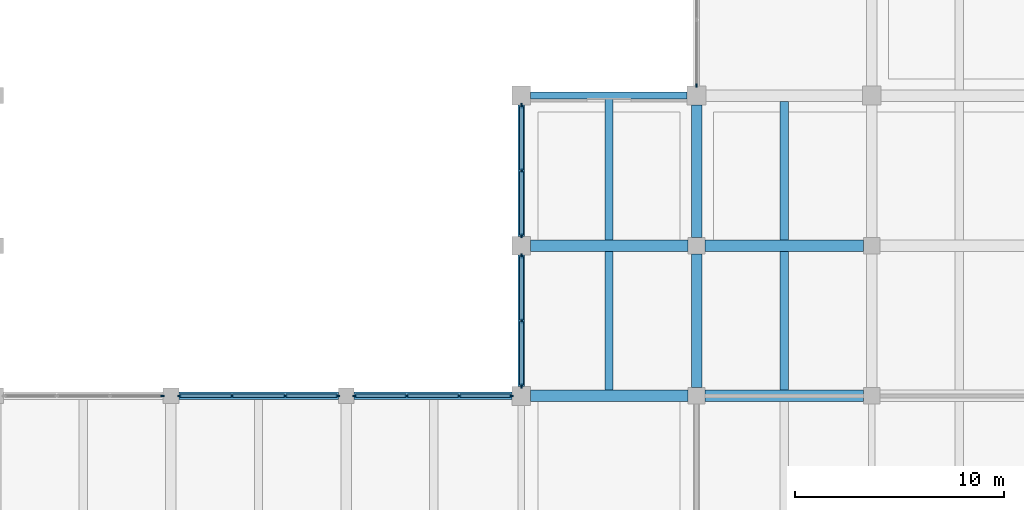
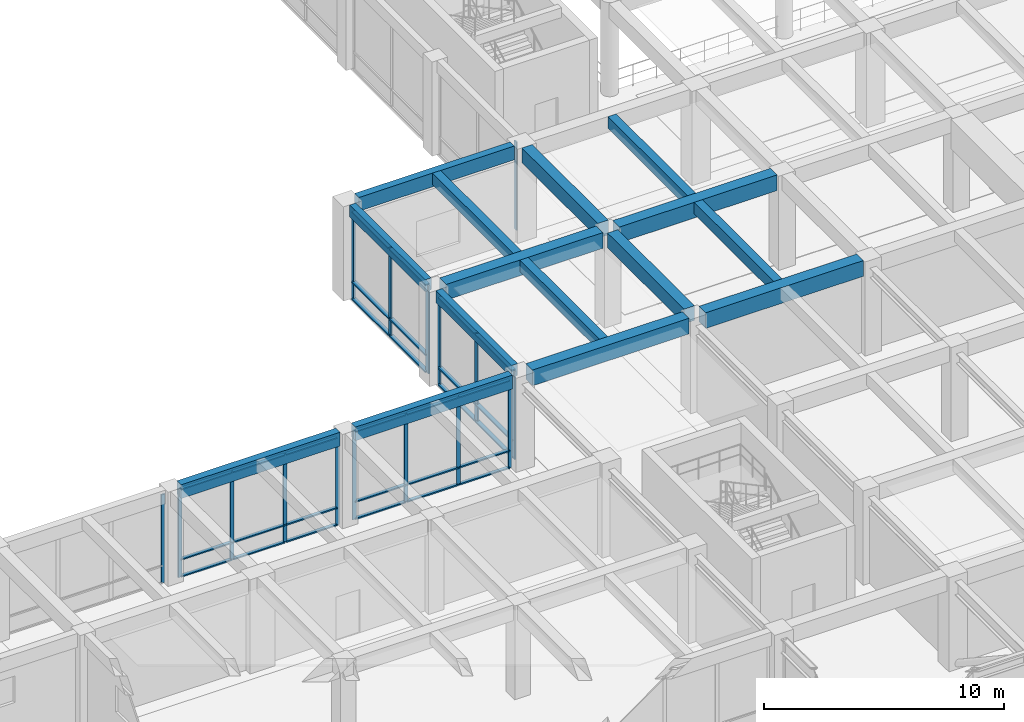
# One storey, part 9 of 52: 46 members, 15 beams, 6 elements without a shape of their own.
"""IFC4 building model written with IfcOpenShell, lengths in metres."""

import ifcopenshell
import ifcopenshell.guid

model = None  # the IFC model being written
_history = None  # IfcOwnerHistory: only IFC2X3 demands one
_inside = {}  # id of a spatial element -> (the spatial element, [elements in it])
_under = {}  # id of a project, library or spatial element -> (it, [spatial elements below it])
_declared = {}  # id of a project -> (the project, [libraries it declares])
_typed = {}  # id of a type object -> (the type object, [elements of that type])
_made_of = {}  # id of a material, layer set ... -> (it, [elements and type objects made of it])


def new_model(schema):
    """Start an empty IFC model of exactly this schema.

    Asked for "IFC4X3", IfcOpenShell would pick the latest addendum, in which some entities
    have other attributes; the version numbers below select the first issue.
    IFC2X3 requires an IfcOwnerHistory on every rooted entity: one is made here for all.
    """
    global model, _history
    if schema == "IFC4X3":
        model = ifcopenshell.file(schema_version=(4, 3, 0, 0))
    else:
        model = ifcopenshell.file(schema=schema)
    _inside.clear()
    _under.clear()
    _declared.clear()
    _typed.clear()
    _made_of.clear()
    _history = None
    if model.schema == "IFC2X3":
        org = make("IfcOrganization", Name="unknown")
        user = make(
            "IfcPersonAndOrganization",
            ThePerson=make("IfcPerson", FamilyName="unknown"),
            TheOrganization=org,
        )
        app = make(
            "IfcApplication",
            ApplicationDeveloper=org,
            Version="unknown",
            ApplicationFullName="unknown",
            ApplicationIdentifier="unknown",
        )
        _history = make(
            "IfcOwnerHistory",
            OwningUser=user,
            OwningApplication=app,
            ChangeAction="ADDED",
            CreationDate=0,
        )
    return model


def make(cls, **values):
    """One entity of the class cls with the attributes given. An attribute that is None is left unset."""
    return model.create_entity(
        cls, **{name: value for name, value in values.items() if value is not None}
    )


def rooted(cls, **values):
    """An entity with a GlobalId (a new one), such as an element, a storey or a relation."""
    return make(cls, GlobalId=ifcopenshell.guid.new(), OwnerHistory=_history, **values)


def si_unit(unit_type, name, prefix=None):
    """IfcSIUnit, for example si_unit("LENGTHUNIT", "METRE", prefix="MILLI")."""
    return make("IfcSIUnit", UnitType=unit_type, Prefix=prefix, Name=name)


def assignment(units):
    """IfcUnitAssignment: the units of a project."""
    return None if units is None else make("IfcUnitAssignment", Units=units)


def point(xyz):
    """IfcCartesianPoint."""
    return None if xyz is None else make("IfcCartesianPoint", Coordinates=xyz)


def direction(xyz):
    """IfcDirection."""
    return None if xyz is None else make("IfcDirection", DirectionRatios=xyz)


def frame(location, z_axis=None, x_axis=None):
    """IfcAxis2Placement3D, a coordinate frame: its origin and axes. An axis left out is left unset."""
    return make(
        "IfcAxis2Placement3D",
        Location=point(location),
        Axis=direction(z_axis),
        RefDirection=direction(x_axis),
    )


def frame_2d(location, x_axis=None):
    """IfcAxis2Placement2D, a coordinate frame in the plane: its origin and x axis."""
    return make(
        "IfcAxis2Placement2D", Location=point(location), RefDirection=direction(x_axis)
    )


def origin():
    """The frame at (0, 0, 0) with its axes left unset."""
    return frame((0.0, 0.0, 0.0))


def origin_2d():
    """The frame at (0, 0) in the plane with its x axis left unset."""
    return frame_2d((0.0, 0.0))


def place(relative_to, where):
    """IfcLocalPlacement: puts the frame where relative to a parent placement (None: the world)."""
    return make(
        "IfcLocalPlacement", PlacementRelTo=relative_to, RelativePlacement=where
    )


def context(
    kind, dimensions, precision=None, world=None, true_north=None, identifier=None
):
    """IfcGeometricRepresentationContext, for example the 3D "Model" context."""
    return make(
        "IfcGeometricRepresentationContext",
        ContextIdentifier=identifier,
        ContextType=kind,
        CoordinateSpaceDimension=dimensions,
        Precision=precision,
        WorldCoordinateSystem=world,
        TrueNorth=true_north,
    )


def subcontext(parent, identifier, kind, view, scale=None):
    """IfcGeometricRepresentationSubContext, for example "Body" below "Model"."""
    return make(
        "IfcGeometricRepresentationSubContext",
        ContextIdentifier=identifier,
        ContextType=kind,
        ParentContext=parent,
        TargetScale=scale,
        TargetView=view,
    )


def project(units=None, contexts=None):
    """IfcProject with its units and contexts."""
    return rooted(
        "IfcProject",
        Name="project",
        RepresentationContexts=contexts,
        UnitsInContext=assignment(units),
    )


def spatial(cls, under=None, at=None, **own):
    """A site, building, storey or space (cls), placed at a placement, below another one or the project."""
    s = rooted(cls, ObjectPlacement=at, **own)
    if under is not None:
        _under.setdefault(under.id(), (under, []))[1].append(s)
    return s


def profile(cls, at=None, kind="AREA", **sizes):
    """A parametric profile (cls). Its sizes go by their IFC names, for example OverallWidth=200.0."""
    return make(cls, ProfileType=kind, Position=at, **sizes)


def rectangle(**sizes):
    """IfcRectangleProfileDef."""
    return profile("IfcRectangleProfileDef", **sizes)


def extrude(swept, where, along, depth):
    """IfcExtrudedAreaSolid: the profile swept, set in the frame where, extruded along a direction by depth."""
    return make(
        "IfcExtrudedAreaSolid",
        SweptArea=swept,
        Position=where,
        ExtrudedDirection=direction(along),
        Depth=depth,
    )


def shape(context_of_items, identifier, shape_type, items):
    """IfcShapeRepresentation: the items that make up one representation, for example the "Body"."""
    return make(
        "IfcShapeRepresentation",
        ContextOfItems=context_of_items,
        RepresentationIdentifier=identifier,
        RepresentationType=shape_type,
        Items=items,
    )


def material(Name=None, Category=None):
    """IfcMaterial."""
    return make("IfcMaterial", Name=Name, Category=Category)


def material_profile(
    of_material, cross_section, Name=None, Category=None, Priority=None
):
    """IfcMaterialProfile: a cross section and its material."""
    return make(
        "IfcMaterialProfile",
        Name=Name,
        Material=of_material,
        Profile=cross_section,
        Priority=Priority,
        Category=Category,
    )


def profile_set(profiles, Name=None, composite=None):
    """IfcMaterialProfileSet."""
    return make(
        "IfcMaterialProfileSet",
        Name=Name,
        MaterialProfiles=profiles,
        CompositeProfile=composite,
    )


def made_of(thing, what):
    """Note that an element or type object is made of a material, layer set ...; save() writes the relation."""
    if what is not None:
        _made_of.setdefault(what.id(), (what, []))[1].append(thing)
    return thing


def type_object(cls, material=None, **own):
    """A type object (cls), such as IfcWallType, which elements share."""
    return made_of(rooted(cls, **own), material)


def element(
    cls,
    number,
    at=None,
    inside=None,
    cuts=None,
    type_object=None,
    material=None,
    context=None,
    identifier="Body",
    shape_type=None,
    held_by="IfcProductDefinitionShape",
    body=None,
    shapes=None,
    **own,
):
    """One element of the class cls, such as IfcWall. Its Tag is "e" and its number.

    at: its placement. inside: the storey or other place that contains it. cuts: it is an
    opening in that element (IfcRelVoidsElement). A single representation is given by context,
    identifier, shape_type and body (its items); several are given by shapes. held_by: the class
    of the entity that holds the representations. save() writes the other relations.
    """
    e = rooted(cls, Tag="e%d" % number, ObjectPlacement=at, **own)
    if body is not None:
        shapes = [shape(context, identifier, shape_type, body)]
    if shapes is not None:
        e.Representation = make(held_by, Representations=shapes)
    if inside is not None:
        _inside.setdefault(inside.id(), (inside, []))[1].append(e)
    if cuts is not None:
        rooted(
            "IfcRelVoidsElement", RelatingBuildingElement=cuts, RelatedOpeningElement=e
        )
    if type_object is not None:
        _typed.setdefault(type_object.id(), (type_object, []))[1].append(e)
    return made_of(e, material)


def aggregate(whole, parts):
    """IfcRelAggregates: a whole, such as a stair, and the parts it consists of."""
    return rooted("IfcRelAggregates", RelatingObject=whole, RelatedObjects=parts)


def save(model, path):
    """Write the relations noted so far, then the file.

    IfcRelAggregates (storeys below a building ...), IfcRelContainedInSpatialStructure (elements
    in a storey), IfcRelDefinesByType, IfcRelAssociatesMaterial and IfcRelDeclares: one each for
    every whole, place, type object, material and project.
    """
    for whole, parts in _under.values():
        aggregate(whole, parts)
    for where, things in _inside.values():
        rooted(
            "IfcRelContainedInSpatialStructure",
            RelatedElements=things,
            RelatingStructure=where,
        )
    for kind, things in _typed.values():
        rooted("IfcRelDefinesByType", RelatedObjects=things, RelatingType=kind)
    for what, things in _made_of.values():
        rooted("IfcRelAssociatesMaterial", RelatedObjects=things, RelatingMaterial=what)
    for by, libraries in _declared.values():
        rooted("IfcRelDeclares", RelatingContext=by, RelatedDefinitions=libraries)
    model.write(path)


model = new_model("IFC4")

# Units and contexts
model_context = context("Model", 3, precision=1e-05, world=origin(), true_north=direction((0.0, 1.0)))
body_context = subcontext(model_context, "Body", "Model", "MODEL_VIEW")
ifc_project = project(units=[si_unit("LENGTHUNIT", "METRE"), si_unit("AREAUNIT", "SQUARE_METRE"), si_unit("VOLUMEUNIT", "CUBIC_METRE"), si_unit("PLANEANGLEUNIT", "RADIAN"), si_unit("MASSUNIT", "GRAM", prefix="KILO")], contexts=[model_context])

# Site, building, storey
site_placement = place(None, origin())
site = spatial("IfcSite", under=ifc_project, at=site_placement, CompositionType="ELEMENT")
building_placement = place(site_placement, origin())
building = spatial("IfcBuilding", under=site, at=building_placement, Name="Kenerak Square Central Library", CompositionType="ELEMENT")
storey_placement = place(building_placement, frame((0.0, 0.0, 4.800048828125)))
storey = spatial("IfcBuildingStorey", under=building, at=storey_placement, Name="L01", CompositionType="ELEMENT", Elevation=4.800048828125)

# Beams
ifc_material_1 = material(Name="Concrete C40/50", Category="concrete")
ifc_material_profile_1 = material_profile(ifc_material_1, rectangle(XDim=0.300048828125, YDim=0.60009765625, at=origin_2d()), Name="RC 300x600")
ifc_profile_set_1 = profile_set([ifc_material_profile_1], Name="Concrete C40/50")
beam_type_1 = type_object("IfcBeamType", Name="Courtyard Spandrel Beam SP-02 RC 300x600 C40/50", PredefinedType="SPANDREL", material=ifc_profile_set_1)
beam_1_placement = place(storey_placement, frame((58.39990234375, 38.85009765625, 4.5), z_axis=(0.0, 1.0, 0.0), x_axis=(-1.0, 0.0, 0.0)))
element("IfcBeam", 1, at=beam_1_placement, inside=storey, type_object=beam_type_1, Name="Beam SP-02 L01 1005", PredefinedType="SPANDREL", context=body_context, shape_type="SweptSolid", body=[
    extrude(rectangle(XDim=0.300048828125, YDim=0.60009765625, at=origin_2d()), origin(), (0.0, 0.0, 1.0), 6.2998046875),
])
beam_2_placement = place(storey_placement, frame((58.39990234375, 46.050048828125, 4.5), z_axis=(0.0, 1.0, 0.0), x_axis=(-1.0, 0.0, 0.0)))
element("IfcBeam", 2, at=beam_2_placement, inside=storey, type_object=beam_type_1, Name="Beam SP-02 L01 1006", PredefinedType="SPANDREL", context=body_context, shape_type="SweptSolid", body=[
    extrude(rectangle(XDim=0.300048828125, YDim=0.60009765625, at=origin_2d()), origin(), (0.0, 0.0, 1.0), 6.300048828125),
])

# Curtain wall, member
ifc_material_2 = material(Name="Anodised aluminium and solar-control low-E glazing", Category="aluminium")
curtain_wall_type_1 = type_object("IfcCurtainWallType", Name="Curtain Wall CW-V4-63x45 6375x4500", PredefinedType="USERDEFINED", material=ifc_material_2)
curtain_wall_1_placement = place(storey_placement, origin())
curtain_wall_1 = element("IfcCurtainWall", 3, at=curtain_wall_1_placement, inside=storey, type_object=curtain_wall_type_1, Name="Curtain Wall CW-V4-63x45 L01 0023", ObjectType="CURTAIN WALL", PredefinedType="USERDEFINED")
ifc_material_3 = material(Name="Anodised aluminium 6063-T6", Category="aluminium")
ifc_material_profile_2 = material_profile(ifc_material_3, rectangle(XDim=0.06494140625, YDim=0.179931640625, at=origin_2d()), Name="AL MULLION 65x180")
ifc_profile_set_2 = profile_set([ifc_material_profile_2], Name="Anodised aluminium 6063-T6")
member_type_1 = type_object("IfcMemberType", Name="Curtain Mullion CM-01 65x180", PredefinedType="MULLION", material=ifc_profile_set_2)
member_1_placement = place(storey_placement, frame((66.800048828125, 53.282470703125, 0.0), z_axis=(0.0, 0.0, 1.0), x_axis=(-1.0, 0.0, 0.0)))
member_1 = element("IfcMember", 4, at=member_1_placement, type_object=member_type_1, Name="CW-V4-63x45 Mullion 1", PredefinedType="MULLION", context=body_context, shape_type="SweptSolid", body=[
    extrude(rectangle(XDim=0.06494140625, YDim=0.179931640625, at=origin_2d()), origin(), (0.0, 0.0, 1.0), 4.5),
])
aggregate(curtain_wall_1, [member_1])

curtain_wall_type_2 = type_object("IfcCurtainWallType", Name="Curtain Wall CW-V6-76x45 7650x4500", PredefinedType="USERDEFINED", material=ifc_material_2)
curtain_wall_2_placement = place(storey_placement, origin())
curtain_wall_2 = element("IfcCurtainWall", 5, at=curtain_wall_2_placement, inside=storey, type_object=curtain_wall_type_2, Name="Curtain Wall CW-V6-76x45 L01 0064", ObjectType="CURTAIN WALL", PredefinedType="USERDEFINED")
member_2_placement = place(storey_placement, frame((41.1923828125, 38.39990234375, 0.0), z_axis=(0.0, 0.0, 1.0), x_axis=(0.0, 1.0, 0.0)))
member_2 = element("IfcMember", 6, at=member_2_placement, type_object=member_type_1, Name="CW-V6-76x45 Mullion 4", PredefinedType="MULLION", context=body_context, shape_type="SweptSolid", body=[
    extrude(rectangle(XDim=0.06494140625, YDim=0.179931640625, at=origin_2d()), origin(), (0.0, 0.0, 1.0), 4.5),
])
aggregate(curtain_wall_2, [member_2])

# Curtain wall, members
curtain_wall_3_placement = place(storey_placement, origin())
curtain_wall_3 = element("IfcCurtainWall", 7, at=curtain_wall_3_placement, inside=storey, type_object=curtain_wall_type_2, Name="Curtain Wall CW-V6-76x45 L01 0065", ObjectType="CURTAIN WALL", PredefinedType="USERDEFINED")
member_3_placement = place(storey_placement, frame((42.007568359375, 38.39990234375, 0.0), z_axis=(0.0, 0.0, 1.0), x_axis=(0.0, 1.0, 0.0)))
member_3 = element("IfcMember", 8, at=member_3_placement, type_object=member_type_1, Name="CW-V6-76x45 Mullion 1", PredefinedType="MULLION", context=body_context, shape_type="SweptSolid", body=[
    extrude(rectangle(XDim=0.06494140625, YDim=0.179931640625, at=origin_2d()), origin(), (0.0, 0.0, 1.0), 4.5),
])
member_4_placement = place(storey_placement, frame((44.52490234375, 38.39990234375, 0.0), z_axis=(0.0, 0.0, 1.0), x_axis=(0.0, 1.0, 0.0)))
member_4 = element("IfcMember", 9, at=member_4_placement, type_object=member_type_1, Name="CW-V6-76x45 Mullion 2", PredefinedType="MULLION", context=body_context, shape_type="SweptSolid", body=[
    extrude(rectangle(XDim=0.06494140625, YDim=0.179931640625, at=origin_2d()), origin(), (0.0, 0.0, 1.0), 4.5),
])
member_5_placement = place(storey_placement, frame((47.074951171875, 38.39990234375, 0.0), z_axis=(0.0, 0.0, 1.0), x_axis=(0.0, 1.0, 0.0)))
member_5 = element("IfcMember", 10, at=member_5_placement, type_object=member_type_1, Name="CW-V6-76x45 Mullion 3", PredefinedType="MULLION", context=body_context, shape_type="SweptSolid", body=[
    extrude(rectangle(XDim=0.06494140625, YDim=0.179931640625, at=origin_2d()), origin(), (0.0, 0.0, 1.0), 4.5),
])
member_6_placement = place(storey_placement, frame((49.592529296875, 38.39990234375, 0.0), z_axis=(0.0, 0.0, 1.0), x_axis=(0.0, 1.0, 0.0)))
member_6 = element("IfcMember", 11, at=member_6_placement, type_object=member_type_1, Name="CW-V6-76x45 Mullion 4", PredefinedType="MULLION", context=body_context, shape_type="SweptSolid", body=[
    extrude(rectangle(XDim=0.06494140625, YDim=0.179931640625, at=origin_2d()), origin(), (0.0, 0.0, 1.0), 4.5),
])

curtain_wall_type_3 = type_object("IfcCurtainWallType", Name="Curtain Wall CW-V6-75x45 7575x4500", PredefinedType="USERDEFINED", material=ifc_material_2)
curtain_wall_4_placement = place(storey_placement, origin())
curtain_wall_4 = element("IfcCurtainWall", 12, at=curtain_wall_4_placement, inside=storey, type_object=curtain_wall_type_3, Name="Curtain Wall CW-V6-75x45 L01 0066", ObjectType="CURTAIN WALL", PredefinedType="USERDEFINED")
member_7_placement = place(storey_placement, frame((50.407470703125, 38.39990234375, 0.0), z_axis=(0.0, 0.0, 1.0), x_axis=(0.0, 1.0, 0.0)))
member_7 = element("IfcMember", 13, at=member_7_placement, type_object=member_type_1, Name="CW-V6-75x45 Mullion 1", PredefinedType="MULLION", context=body_context, shape_type="SweptSolid", body=[
    extrude(rectangle(XDim=0.06494140625, YDim=0.179931640625, at=origin_2d()), origin(), (0.0, 0.0, 1.0), 4.5),
])
member_8_placement = place(storey_placement, frame((52.89990234375, 38.39990234375, 0.0), z_axis=(0.0, 0.0, 1.0), x_axis=(0.0, 1.0, 0.0)))
member_8 = element("IfcMember", 14, at=member_8_placement, type_object=member_type_1, Name="CW-V6-75x45 Mullion 2", PredefinedType="MULLION", context=body_context, shape_type="SweptSolid", body=[
    extrude(rectangle(XDim=0.06494140625, YDim=0.179931640625, at=origin_2d()), origin(), (0.0, 0.0, 1.0), 4.5),
])
member_9_placement = place(storey_placement, frame((55.425048828125, 38.39990234375, 0.0), z_axis=(0.0, 0.0, 1.0), x_axis=(0.0, 1.0, 0.0)))
member_9 = element("IfcMember", 15, at=member_9_placement, type_object=member_type_1, Name="CW-V6-75x45 Mullion 3", PredefinedType="MULLION", context=body_context, shape_type="SweptSolid", body=[
    extrude(rectangle(XDim=0.06494140625, YDim=0.179931640625, at=origin_2d()), origin(), (0.0, 0.0, 1.0), 4.5),
])
member_10_placement = place(storey_placement, frame((57.91748046875, 38.39990234375, 0.0), z_axis=(0.0, 0.0, 1.0), x_axis=(0.0, 1.0, 0.0)))
member_10 = element("IfcMember", 16, at=member_10_placement, type_object=member_type_1, Name="CW-V6-75x45 Mullion 4", PredefinedType="MULLION", context=body_context, shape_type="SweptSolid", body=[
    extrude(rectangle(XDim=0.06494140625, YDim=0.179931640625, at=origin_2d()), origin(), (0.0, 0.0, 1.0), 4.5),
])

curtain_wall_type_4 = type_object("IfcCurtainWallType", Name="Curtain Wall CW-V1-63x45 6300x4500", PredefinedType="USERDEFINED", material=ifc_material_2)
curtain_wall_5_placement = place(storey_placement, origin())
curtain_wall_5 = element("IfcCurtainWall", 17, at=curtain_wall_5_placement, inside=storey, type_object=curtain_wall_type_4, Name="Curtain Wall CW-V1-63x45 L01 0021", ObjectType="CURTAIN WALL", PredefinedType="USERDEFINED")
ifc_material_profile_3 = material_profile(ifc_material_3, rectangle(XDim=0.074951171875, YDim=0.219970703125, at=origin_2d()), Name="AL MULLION 75x220")
ifc_profile_set_3 = profile_set([ifc_material_profile_3], Name="Anodised aluminium 6063-T6")
member_type_2 = type_object("IfcMemberType", Name="Curtain Mullion CM-02 75x220", PredefinedType="MULLION", material=ifc_profile_set_3)
member_11_placement = place(storey_placement, frame((58.39990234375, 38.887451171875, 0.0), z_axis=(0.0, 0.0, 1.0), x_axis=(-1.0, 0.0, 0.0)))
member_11 = element("IfcMember", 18, at=member_11_placement, type_object=member_type_2, Name="CW-V1-63x45 Mullion 1", PredefinedType="MULLION", context=body_context, shape_type="SweptSolid", body=[
    extrude(rectangle(XDim=0.074951171875, YDim=0.219970703125, at=origin_2d()), origin(), (0.0, 0.0, 1.0), 4.5),
])
member_12_placement = place(storey_placement, frame((58.39990234375, 42.0, 0.0), z_axis=(0.0, 0.0, 1.0), x_axis=(-1.0, 0.0, 0.0)))
member_12 = element("IfcMember", 19, at=member_12_placement, type_object=member_type_2, Name="CW-V1-63x45 Mullion 2", PredefinedType="MULLION", context=body_context, shape_type="SweptSolid", body=[
    extrude(rectangle(XDim=0.074951171875, YDim=0.219970703125, at=origin_2d()), origin(), (0.0, 0.0, 1.0), 4.5),
])
member_13_placement = place(storey_placement, frame((58.39990234375, 45.112548828125, 0.0), z_axis=(0.0, 0.0, 1.0), x_axis=(-1.0, 0.0, 0.0)))
member_13 = element("IfcMember", 20, at=member_13_placement, type_object=member_type_2, Name="CW-V1-63x45 Mullion 3", PredefinedType="MULLION", context=body_context, shape_type="SweptSolid", body=[
    extrude(rectangle(XDim=0.074951171875, YDim=0.219970703125, at=origin_2d()), origin(), (0.0, 0.0, 1.0), 4.5),
])

curtain_wall_6_placement = place(storey_placement, origin())
curtain_wall_6 = element("IfcCurtainWall", 21, at=curtain_wall_6_placement, inside=storey, type_object=curtain_wall_type_4, Name="Curtain Wall CW-V1-63x45 L01 0022", ObjectType="CURTAIN WALL", PredefinedType="USERDEFINED")
member_14_placement = place(storey_placement, frame((58.39990234375, 46.08740234375, 0.0), z_axis=(0.0, 0.0, 1.0), x_axis=(-1.0, 0.0, 0.0)))
member_14 = element("IfcMember", 22, at=member_14_placement, type_object=member_type_2, Name="CW-V1-63x45 Mullion 1", PredefinedType="MULLION", context=body_context, shape_type="SweptSolid", body=[
    extrude(rectangle(XDim=0.074951171875, YDim=0.219970703125, at=origin_2d()), origin(), (0.0, 0.0, 1.0), 4.5),
])
member_15_placement = place(storey_placement, frame((58.39990234375, 49.199951171875, 0.0), z_axis=(0.0, 0.0, 1.0), x_axis=(-1.0, 0.0, 0.0)))
member_15 = element("IfcMember", 23, at=member_15_placement, type_object=member_type_2, Name="CW-V1-63x45 Mullion 2", PredefinedType="MULLION", context=body_context, shape_type="SweptSolid", body=[
    extrude(rectangle(XDim=0.074951171875, YDim=0.219970703125, at=origin_2d()), origin(), (0.0, 0.0, 1.0), 4.5),
])
member_16_placement = place(storey_placement, frame((58.39990234375, 52.3125, 0.0), z_axis=(0.0, 0.0, 1.0), x_axis=(-1.0, 0.0, 0.0)))
member_16 = element("IfcMember", 24, at=member_16_placement, type_object=member_type_2, Name="CW-V1-63x45 Mullion 3", PredefinedType="MULLION", context=body_context, shape_type="SweptSolid", body=[
    extrude(rectangle(XDim=0.074951171875, YDim=0.219970703125, at=origin_2d()), origin(), (0.0, 0.0, 1.0), 4.5),
])

# Member
ifc_material_profile_4 = material_profile(ifc_material_3, rectangle(XDim=0.159912109375, YDim=0.06494140625, at=origin_2d()), Name="AL TRANSOM 160x65")
ifc_profile_set_4 = profile_set([ifc_material_profile_4], Name="Anodised aluminium 6063-T6")
member_type_3 = type_object("IfcMemberType", Name="Curtain Transom CT-11 160x65", PredefinedType="USERDEFINED", material=ifc_profile_set_4)
member_17_placement = place(storey_placement, frame((42.0400390625, 38.39990234375, 0.032470703125), z_axis=(1.0, 0.0, 0.0), x_axis=(0.0, 1.0, 0.0)))
member_17 = element("IfcMember", 25, at=member_17_placement, type_object=member_type_3, Name="CW-V6-76x45 Transom 1.1", ObjectType="TRANSOM", PredefinedType="USERDEFINED", context=body_context, shape_type="SweptSolid", body=[
    extrude(rectangle(XDim=0.159912109375, YDim=0.06494140625, at=origin_2d()), origin(), (0.0, 0.0, 1.0), 2.452392578125),
])

member_18_placement = place(storey_placement, frame((42.0400390625, 38.39990234375, 0.89990234375), z_axis=(1.0, 0.0, 0.0), x_axis=(0.0, 1.0, 0.0)))
member_18 = element("IfcMember", 26, at=member_18_placement, type_object=member_type_3, Name="CW-V6-76x45 Transom 1.2", ObjectType="TRANSOM", PredefinedType="USERDEFINED", context=body_context, shape_type="SweptSolid", body=[
    extrude(rectangle(XDim=0.159912109375, YDim=0.06494140625, at=origin_2d()), origin(), (0.0, 0.0, 1.0), 2.452392578125),
])

member_19_placement = place(storey_placement, frame((42.0400390625, 38.39990234375, 4.467529296875), z_axis=(1.0, 0.0, 0.0), x_axis=(0.0, 1.0, 0.0)))
member_19 = element("IfcMember", 27, at=member_19_placement, type_object=member_type_3, Name="CW-V6-76x45 Transom 1.3", ObjectType="TRANSOM", PredefinedType="USERDEFINED", context=body_context, shape_type="SweptSolid", body=[
    extrude(rectangle(XDim=0.159912109375, YDim=0.06494140625, at=origin_2d()), origin(), (0.0, 0.0, 1.0), 2.452392578125),
])

member_20_placement = place(storey_placement, frame((44.5576171875, 38.39990234375, 0.032470703125), z_axis=(1.0, 0.0, 0.0), x_axis=(0.0, 1.0, 0.0)))
member_20 = element("IfcMember", 28, at=member_20_placement, type_object=member_type_3, Name="CW-V6-76x45 Transom 2.1", ObjectType="TRANSOM", PredefinedType="USERDEFINED", context=body_context, shape_type="SweptSolid", body=[
    extrude(rectangle(XDim=0.159912109375, YDim=0.06494140625, at=origin_2d()), origin(), (0.0, 0.0, 1.0), 2.48486328125),
])

member_21_placement = place(storey_placement, frame((44.5576171875, 38.39990234375, 0.89990234375), z_axis=(1.0, 0.0, 0.0), x_axis=(0.0, 1.0, 0.0)))
member_21 = element("IfcMember", 29, at=member_21_placement, type_object=member_type_3, Name="CW-V6-76x45 Transom 2.2", ObjectType="TRANSOM", PredefinedType="USERDEFINED", context=body_context, shape_type="SweptSolid", body=[
    extrude(rectangle(XDim=0.159912109375, YDim=0.06494140625, at=origin_2d()), origin(), (0.0, 0.0, 1.0), 2.48486328125),
])

member_22_placement = place(storey_placement, frame((44.5576171875, 38.39990234375, 4.467529296875), z_axis=(1.0, 0.0, 0.0), x_axis=(0.0, 1.0, 0.0)))
member_22 = element("IfcMember", 30, at=member_22_placement, type_object=member_type_3, Name="CW-V6-76x45 Transom 2.3", ObjectType="TRANSOM", PredefinedType="USERDEFINED", context=body_context, shape_type="SweptSolid", body=[
    extrude(rectangle(XDim=0.159912109375, YDim=0.06494140625, at=origin_2d()), origin(), (0.0, 0.0, 1.0), 2.48486328125),
])

member_23_placement = place(storey_placement, frame((47.107421875, 38.39990234375, 0.032470703125), z_axis=(1.0, 0.0, 0.0), x_axis=(0.0, 1.0, 0.0)))
member_23 = element("IfcMember", 31, at=member_23_placement, type_object=member_type_3, Name="CW-V6-76x45 Transom 3.1", ObjectType="TRANSOM", PredefinedType="USERDEFINED", context=body_context, shape_type="SweptSolid", body=[
    extrude(rectangle(XDim=0.159912109375, YDim=0.06494140625, at=origin_2d()), origin(), (0.0, 0.0, 1.0), 2.45263671875),
])

member_24_placement = place(storey_placement, frame((47.107421875, 38.39990234375, 0.89990234375), z_axis=(1.0, 0.0, 0.0), x_axis=(0.0, 1.0, 0.0)))
member_24 = element("IfcMember", 32, at=member_24_placement, type_object=member_type_3, Name="CW-V6-76x45 Transom 3.2", ObjectType="TRANSOM", PredefinedType="USERDEFINED", context=body_context, shape_type="SweptSolid", body=[
    extrude(rectangle(XDim=0.159912109375, YDim=0.06494140625, at=origin_2d()), origin(), (0.0, 0.0, 1.0), 2.45263671875),
])

member_25_placement = place(storey_placement, frame((47.107421875, 38.39990234375, 4.467529296875), z_axis=(1.0, 0.0, 0.0), x_axis=(0.0, 1.0, 0.0)))
member_25 = element("IfcMember", 33, at=member_25_placement, type_object=member_type_3, Name="CW-V6-76x45 Transom 3.3", ObjectType="TRANSOM", PredefinedType="USERDEFINED", context=body_context, shape_type="SweptSolid", body=[
    extrude(rectangle(XDim=0.159912109375, YDim=0.06494140625, at=origin_2d()), origin(), (0.0, 0.0, 1.0), 2.45263671875),
])

aggregate(curtain_wall_3, [member_3, member_4, member_5, member_6, member_17, member_18, member_19, member_20, member_21, member_22, member_23, member_24, member_25])

member_26_placement = place(storey_placement, frame((50.43994140625, 38.39990234375, 0.032470703125), z_axis=(1.0, 0.0, 0.0), x_axis=(0.0, 1.0, 0.0)))
member_26 = element("IfcMember", 34, at=member_26_placement, type_object=member_type_3, Name="CW-V6-75x45 Transom 1.1", ObjectType="TRANSOM", PredefinedType="USERDEFINED", context=body_context, shape_type="SweptSolid", body=[
    extrude(rectangle(XDim=0.159912109375, YDim=0.06494140625, at=origin_2d()), origin(), (0.0, 0.0, 1.0), 2.427490234375),
])

member_27_placement = place(storey_placement, frame((50.43994140625, 38.39990234375, 0.89990234375), z_axis=(1.0, 0.0, 0.0), x_axis=(0.0, 1.0, 0.0)))
member_27 = element("IfcMember", 35, at=member_27_placement, type_object=member_type_3, Name="CW-V6-75x45 Transom 1.2", ObjectType="TRANSOM", PredefinedType="USERDEFINED", context=body_context, shape_type="SweptSolid", body=[
    extrude(rectangle(XDim=0.159912109375, YDim=0.06494140625, at=origin_2d()), origin(), (0.0, 0.0, 1.0), 2.427490234375),
])

member_28_placement = place(storey_placement, frame((50.43994140625, 38.39990234375, 4.467529296875), z_axis=(1.0, 0.0, 0.0), x_axis=(0.0, 1.0, 0.0)))
member_28 = element("IfcMember", 36, at=member_28_placement, type_object=member_type_3, Name="CW-V6-75x45 Transom 1.3", ObjectType="TRANSOM", PredefinedType="USERDEFINED", context=body_context, shape_type="SweptSolid", body=[
    extrude(rectangle(XDim=0.159912109375, YDim=0.06494140625, at=origin_2d()), origin(), (0.0, 0.0, 1.0), 2.427490234375),
])

member_29_placement = place(storey_placement, frame((52.9326171875, 38.39990234375, 0.032470703125), z_axis=(1.0, 0.0, 0.0), x_axis=(0.0, 1.0, 0.0)))
member_29 = element("IfcMember", 37, at=member_29_placement, type_object=member_type_3, Name="CW-V6-75x45 Transom 2.1", ObjectType="TRANSOM", PredefinedType="USERDEFINED", context=body_context, shape_type="SweptSolid", body=[
    extrude(rectangle(XDim=0.159912109375, YDim=0.06494140625, at=origin_2d()), origin(), (0.0, 0.0, 1.0), 2.4599609375),
])

member_30_placement = place(storey_placement, frame((52.9326171875, 38.39990234375, 0.89990234375), z_axis=(1.0, 0.0, 0.0), x_axis=(0.0, 1.0, 0.0)))
member_30 = element("IfcMember", 38, at=member_30_placement, type_object=member_type_3, Name="CW-V6-75x45 Transom 2.2", ObjectType="TRANSOM", PredefinedType="USERDEFINED", context=body_context, shape_type="SweptSolid", body=[
    extrude(rectangle(XDim=0.159912109375, YDim=0.06494140625, at=origin_2d()), origin(), (0.0, 0.0, 1.0), 2.4599609375),
])

member_31_placement = place(storey_placement, frame((52.9326171875, 38.39990234375, 4.467529296875), z_axis=(1.0, 0.0, 0.0), x_axis=(0.0, 1.0, 0.0)))
member_31 = element("IfcMember", 39, at=member_31_placement, type_object=member_type_3, Name="CW-V6-75x45 Transom 2.3", ObjectType="TRANSOM", PredefinedType="USERDEFINED", context=body_context, shape_type="SweptSolid", body=[
    extrude(rectangle(XDim=0.159912109375, YDim=0.06494140625, at=origin_2d()), origin(), (0.0, 0.0, 1.0), 2.4599609375),
])

member_32_placement = place(storey_placement, frame((55.45751953125, 38.39990234375, 0.032470703125), z_axis=(1.0, 0.0, 0.0), x_axis=(0.0, 1.0, 0.0)))
member_32 = element("IfcMember", 40, at=member_32_placement, type_object=member_type_3, Name="CW-V6-75x45 Transom 3.1", ObjectType="TRANSOM", PredefinedType="USERDEFINED", context=body_context, shape_type="SweptSolid", body=[
    extrude(rectangle(XDim=0.159912109375, YDim=0.06494140625, at=origin_2d()), origin(), (0.0, 0.0, 1.0), 2.427490234375),
])

member_33_placement = place(storey_placement, frame((55.45751953125, 38.39990234375, 0.89990234375), z_axis=(1.0, 0.0, 0.0), x_axis=(0.0, 1.0, 0.0)))
member_33 = element("IfcMember", 41, at=member_33_placement, type_object=member_type_3, Name="CW-V6-75x45 Transom 3.2", ObjectType="TRANSOM", PredefinedType="USERDEFINED", context=body_context, shape_type="SweptSolid", body=[
    extrude(rectangle(XDim=0.159912109375, YDim=0.06494140625, at=origin_2d()), origin(), (0.0, 0.0, 1.0), 2.427490234375),
])

member_34_placement = place(storey_placement, frame((55.45751953125, 38.39990234375, 4.467529296875), z_axis=(1.0, 0.0, 0.0), x_axis=(0.0, 1.0, 0.0)))
member_34 = element("IfcMember", 42, at=member_34_placement, type_object=member_type_3, Name="CW-V6-75x45 Transom 3.3", ObjectType="TRANSOM", PredefinedType="USERDEFINED", context=body_context, shape_type="SweptSolid", body=[
    extrude(rectangle(XDim=0.159912109375, YDim=0.06494140625, at=origin_2d()), origin(), (0.0, 0.0, 1.0), 2.427490234375),
])

aggregate(curtain_wall_4, [member_7, member_8, member_9, member_10, member_26, member_27, member_28, member_29, member_30, member_31, member_32, member_33, member_34])

ifc_material_profile_5 = material_profile(ifc_material_3, rectangle(XDim=0.199951171875, YDim=0.074951171875, at=origin_2d()), Name="AL TRANSOM 200x75")
ifc_profile_set_5 = profile_set([ifc_material_profile_5], Name="Anodised aluminium 6063-T6")
member_type_4 = type_object("IfcMemberType", Name="Curtain Transom CT-12 200x75", PredefinedType="USERDEFINED", material=ifc_profile_set_5)
member_35_placement = place(storey_placement, frame((58.39990234375, 38.925048828125, 0.037353515625), z_axis=(0.0, 1.0, 0.0), x_axis=(-1.0, 0.0, 0.0)))
member_35 = element("IfcMember", 43, at=member_35_placement, type_object=member_type_4, Name="CW-V1-63x45 Transom 1.1", ObjectType="TRANSOM", PredefinedType="USERDEFINED", context=body_context, shape_type="SweptSolid", body=[
    extrude(rectangle(XDim=0.199951171875, YDim=0.074951171875, at=origin_2d()), origin(), (0.0, 0.0, 1.0), 3.037353515625),
])

member_36_placement = place(storey_placement, frame((58.39990234375, 38.925048828125, 0.89990234375), z_axis=(0.0, 1.0, 0.0), x_axis=(-1.0, 0.0, 0.0)))
member_36 = element("IfcMember", 44, at=member_36_placement, type_object=member_type_4, Name="CW-V1-63x45 Transom 1.2", ObjectType="TRANSOM", PredefinedType="USERDEFINED", context=body_context, shape_type="SweptSolid", body=[
    extrude(rectangle(XDim=0.199951171875, YDim=0.074951171875, at=origin_2d()), origin(), (0.0, 0.0, 1.0), 3.037353515625),
])

member_37_placement = place(storey_placement, frame((58.39990234375, 38.925048828125, 4.46240234375), z_axis=(0.0, 1.0, 0.0), x_axis=(-1.0, 0.0, 0.0)))
member_37 = element("IfcMember", 45, at=member_37_placement, type_object=member_type_4, Name="CW-V1-63x45 Transom 1.3", ObjectType="TRANSOM", PredefinedType="USERDEFINED", context=body_context, shape_type="SweptSolid", body=[
    extrude(rectangle(XDim=0.199951171875, YDim=0.074951171875, at=origin_2d()), origin(), (0.0, 0.0, 1.0), 3.037353515625),
])

member_38_placement = place(storey_placement, frame((58.39990234375, 42.03759765625, 0.037353515625), z_axis=(0.0, 1.0, 0.0), x_axis=(-1.0, 0.0, 0.0)))
member_38 = element("IfcMember", 46, at=member_38_placement, type_object=member_type_4, Name="CW-V1-63x45 Transom 2.1", ObjectType="TRANSOM", PredefinedType="USERDEFINED", context=body_context, shape_type="SweptSolid", body=[
    extrude(rectangle(XDim=0.199951171875, YDim=0.074951171875, at=origin_2d()), origin(), (0.0, 0.0, 1.0), 3.037353515625),
])

member_39_placement = place(storey_placement, frame((58.39990234375, 42.03759765625, 0.89990234375), z_axis=(0.0, 1.0, 0.0), x_axis=(-1.0, 0.0, 0.0)))
member_39 = element("IfcMember", 47, at=member_39_placement, type_object=member_type_4, Name="CW-V1-63x45 Transom 2.2", ObjectType="TRANSOM", PredefinedType="USERDEFINED", context=body_context, shape_type="SweptSolid", body=[
    extrude(rectangle(XDim=0.199951171875, YDim=0.074951171875, at=origin_2d()), origin(), (0.0, 0.0, 1.0), 3.037353515625),
])

member_40_placement = place(storey_placement, frame((58.39990234375, 42.03759765625, 4.46240234375), z_axis=(0.0, 1.0, 0.0), x_axis=(-1.0, 0.0, 0.0)))
member_40 = element("IfcMember", 48, at=member_40_placement, type_object=member_type_4, Name="CW-V1-63x45 Transom 2.3", ObjectType="TRANSOM", PredefinedType="USERDEFINED", context=body_context, shape_type="SweptSolid", body=[
    extrude(rectangle(XDim=0.199951171875, YDim=0.074951171875, at=origin_2d()), origin(), (0.0, 0.0, 1.0), 3.037353515625),
])

aggregate(curtain_wall_5, [member_11, member_12, member_13, member_35, member_36, member_37, member_38, member_39, member_40])

member_41_placement = place(storey_placement, frame((58.39990234375, 46.125, 0.037353515625), z_axis=(0.0, 1.0, 0.0), x_axis=(-1.0, 0.0, 0.0)))
member_41 = element("IfcMember", 49, at=member_41_placement, type_object=member_type_4, Name="CW-V1-63x45 Transom 1.1", ObjectType="TRANSOM", PredefinedType="USERDEFINED", context=body_context, shape_type="SweptSolid", body=[
    extrude(rectangle(XDim=0.199951171875, YDim=0.074951171875, at=origin_2d()), origin(), (0.0, 0.0, 1.0), 3.03759765625),
])

member_42_placement = place(storey_placement, frame((58.39990234375, 46.125, 0.89990234375), z_axis=(0.0, 1.0, 0.0), x_axis=(-1.0, 0.0, 0.0)))
member_42 = element("IfcMember", 50, at=member_42_placement, type_object=member_type_4, Name="CW-V1-63x45 Transom 1.2", ObjectType="TRANSOM", PredefinedType="USERDEFINED", context=body_context, shape_type="SweptSolid", body=[
    extrude(rectangle(XDim=0.199951171875, YDim=0.074951171875, at=origin_2d()), origin(), (0.0, 0.0, 1.0), 3.03759765625),
])

member_43_placement = place(storey_placement, frame((58.39990234375, 46.125, 4.46240234375), z_axis=(0.0, 1.0, 0.0), x_axis=(-1.0, 0.0, 0.0)))
member_43 = element("IfcMember", 51, at=member_43_placement, type_object=member_type_4, Name="CW-V1-63x45 Transom 1.3", ObjectType="TRANSOM", PredefinedType="USERDEFINED", context=body_context, shape_type="SweptSolid", body=[
    extrude(rectangle(XDim=0.199951171875, YDim=0.074951171875, at=origin_2d()), origin(), (0.0, 0.0, 1.0), 3.03759765625),
])

member_44_placement = place(storey_placement, frame((58.39990234375, 49.237548828125, 0.037353515625), z_axis=(0.0, 1.0, 0.0), x_axis=(-1.0, 0.0, 0.0)))
member_44 = element("IfcMember", 52, at=member_44_placement, type_object=member_type_4, Name="CW-V1-63x45 Transom 2.1", ObjectType="TRANSOM", PredefinedType="USERDEFINED", context=body_context, shape_type="SweptSolid", body=[
    extrude(rectangle(XDim=0.199951171875, YDim=0.074951171875, at=origin_2d()), origin(), (0.0, 0.0, 1.0), 3.037353515625),
])

member_45_placement = place(storey_placement, frame((58.39990234375, 49.237548828125, 0.89990234375), z_axis=(0.0, 1.0, 0.0), x_axis=(-1.0, 0.0, 0.0)))
member_45 = element("IfcMember", 53, at=member_45_placement, type_object=member_type_4, Name="CW-V1-63x45 Transom 2.2", ObjectType="TRANSOM", PredefinedType="USERDEFINED", context=body_context, shape_type="SweptSolid", body=[
    extrude(rectangle(XDim=0.199951171875, YDim=0.074951171875, at=origin_2d()), origin(), (0.0, 0.0, 1.0), 3.037353515625),
])

member_46_placement = place(storey_placement, frame((58.39990234375, 49.237548828125, 4.46240234375), z_axis=(0.0, 1.0, 0.0), x_axis=(-1.0, 0.0, 0.0)))
member_46 = element("IfcMember", 54, at=member_46_placement, type_object=member_type_4, Name="CW-V1-63x45 Transom 2.3", ObjectType="TRANSOM", PredefinedType="USERDEFINED", context=body_context, shape_type="SweptSolid", body=[
    extrude(rectangle(XDim=0.199951171875, YDim=0.074951171875, at=origin_2d()), origin(), (0.0, 0.0, 1.0), 3.037353515625),
])

aggregate(curtain_wall_6, [member_14, member_15, member_16, member_41, member_42, member_43, member_44, member_45, member_46])

# Beams
ifc_material_profile_6 = material_profile(ifc_material_1, rectangle(XDim=0.35009765625, YDim=0.699951171875, at=origin_2d()), Name="RC 350x700")
ifc_profile_set_6 = profile_set([ifc_material_profile_6], Name="Concrete C40/50")
beam_type_2 = type_object("IfcBeamType", Name="Expressed Spandrel Beam SP-01 RC 350x700 C40/50", PredefinedType="SPANDREL", material=ifc_profile_set_6)
beam_3_placement = place(storey_placement, frame((41.97509765625, 38.39990234375, 4.449951171875), z_axis=(1.0, 0.0, 0.0), x_axis=(0.0, 1.0, 0.0)))
element("IfcBeam", 55, at=beam_3_placement, inside=storey, type_object=beam_type_2, Name="Beam SP-01 L01 0897", PredefinedType="SPANDREL", context=body_context, shape_type="SweptSolid", body=[
    extrude(rectangle(XDim=0.35009765625, YDim=0.699951171875, at=origin_2d()), origin(), (0.0, 0.0, 1.0), 7.64990234375),
])
beam_4_placement = place(storey_placement, frame((50.375, 38.39990234375, 4.449951171875), z_axis=(1.0, 0.0, 0.0), x_axis=(0.0, 1.0, 0.0)))
element("IfcBeam", 56, at=beam_4_placement, inside=storey, type_object=beam_type_2, Name="Beam SP-01 L01 0898", PredefinedType="SPANDREL", context=body_context, shape_type="SweptSolid", body=[
    extrude(rectangle(XDim=0.35009765625, YDim=0.699951171875, at=origin_2d()), origin(), (0.0, 0.0, 1.0), 7.574951171875),
])
beam_5_placement = place(storey_placement, frame((58.85009765625, 52.800048828125, 4.449951171875), z_axis=(1.0, 0.0, 0.0), x_axis=(0.0, 1.0, 0.0)))
element("IfcBeam", 57, at=beam_5_placement, inside=storey, type_object=beam_type_2, Name="Beam SP-01 L01 0916", PredefinedType="SPANDREL", context=body_context, shape_type="SweptSolid", body=[
    extrude(rectangle(XDim=0.35009765625, YDim=0.699951171875, at=origin_2d()), origin(), (0.0, 0.0, 1.0), 7.5),
])
ifc_material_profile_7 = material_profile(ifc_material_1, rectangle(XDim=0.550048828125, YDim=0.800048828125, at=origin_2d()), Name="RC 550x800")
ifc_profile_set_7 = profile_set([ifc_material_profile_7], Name="Concrete C40/50")
beam_type_3 = type_object("IfcBeamType", Name="Primary Reading Beam B-04 RC 550x800 C40/50", PredefinedType="BEAM", material=ifc_profile_set_7)
beam_6_placement = place(storey_placement, frame((58.85009765625, 38.39990234375, 4.39990234375), z_axis=(1.0, 0.0, 0.0), x_axis=(0.0, 1.0, 0.0)))
element("IfcBeam", 58, at=beam_6_placement, inside=storey, type_object=beam_type_3, Name="Beam B-04 L01 0899", PredefinedType="BEAM", context=body_context, shape_type="SweptSolid", body=[
    extrude(rectangle(XDim=0.550048828125, YDim=0.800048828125, at=origin_2d()), origin(), (0.0, 0.0, 1.0), 7.5498046875),
])
beam_7_placement = place(storey_placement, frame((67.199951171875, 38.39990234375, 4.39990234375), z_axis=(1.0, 0.0, 0.0), x_axis=(0.0, 1.0, 0.0)))
element("IfcBeam", 59, at=beam_7_placement, inside=storey, type_object=beam_type_3, Name="Beam B-04 L01 0900", PredefinedType="BEAM", context=body_context, shape_type="SweptSolid", body=[
    extrude(rectangle(XDim=0.550048828125, YDim=0.800048828125, at=origin_2d()), origin(), (0.0, 0.0, 1.0), 7.60009765625),
])
beam_8_placement = place(storey_placement, frame((58.85009765625, 45.60009765625, 4.39990234375), z_axis=(1.0, 0.0, 0.0), x_axis=(0.0, 1.0, 0.0)))
element("IfcBeam", 60, at=beam_8_placement, inside=storey, type_object=beam_type_3, Name="Beam B-04 L01 0909", PredefinedType="BEAM", context=body_context, shape_type="SweptSolid", body=[
    extrude(rectangle(XDim=0.550048828125, YDim=0.800048828125, at=origin_2d()), origin(), (0.0, 0.0, 1.0), 7.5498046875),
])
beam_9_placement = place(storey_placement, frame((67.199951171875, 45.60009765625, 4.39990234375), z_axis=(1.0, 0.0, 0.0), x_axis=(0.0, 1.0, 0.0)))
element("IfcBeam", 61, at=beam_9_placement, inside=storey, type_object=beam_type_3, Name="Beam B-04 L01 0910", PredefinedType="BEAM", context=body_context, shape_type="SweptSolid", body=[
    extrude(rectangle(XDim=0.550048828125, YDim=0.800048828125, at=origin_2d()), origin(), (0.0, 0.0, 1.0), 7.60009765625),
])
ifc_material_profile_8 = material_profile(ifc_material_1, rectangle(XDim=0.39990234375, YDim=0.60009765625, at=origin_2d()), Name="RC 400x600")
ifc_profile_set_8 = profile_set([ifc_material_profile_8], Name="Concrete C40/50")
beam_type_4 = type_object("IfcBeamType", Name="Secondary Floor Joist J-01 RC 400x600 C40/50", PredefinedType="JOIST", material=ifc_profile_set_8)
beam_10_placement = place(storey_placement, frame((62.60009765625, 38.675048828125, 4.5), z_axis=(0.0, 1.0, 0.0), x_axis=(-1.0, 0.0, 0.0)))
element("IfcBeam", 62, at=beam_10_placement, inside=storey, type_object=beam_type_4, Name="Joist J-01 L01 1109", PredefinedType="JOIST", context=body_context, shape_type="SweptSolid", body=[
    extrude(rectangle(XDim=0.39990234375, YDim=0.60009765625, at=origin_2d()), origin(), (0.0, 0.0, 1.0), 6.64990234375),
])
beam_11_placement = place(storey_placement, frame((62.60009765625, 45.875, 4.5), z_axis=(0.0, 1.0, 0.0), x_axis=(-1.0, 0.0, 0.0)))
element("IfcBeam", 63, at=beam_11_placement, inside=storey, type_object=beam_type_4, Name="Joist J-01 L01 1110", PredefinedType="JOIST", context=body_context, shape_type="SweptSolid", body=[
    extrude(rectangle(XDim=0.39990234375, YDim=0.60009765625, at=origin_2d()), origin(), (0.0, 0.0, 1.0), 6.75),
])
for number, where, z_axis, x_axis, name in (
    (64, (71.0, 38.675048828125, 4.5), (0.0, 1.0, 0.0), (-1.0, 0.0, 0.0), "Joist J-01 L01 1115"),
    (65, (71.0, 45.875, 4.5), (0.0, 1.0, 0.0), (-1.0, 0.0, 0.0), "Joist J-01 L01 1116"),
):
    element("IfcBeam", number, at=place(storey_placement, frame(where, z_axis=z_axis, x_axis=x_axis)), inside=storey, type_object=beam_type_4, Name=name, PredefinedType="JOIST", context=body_context, shape_type="SweptSolid", body=[
        extrude(rectangle(XDim=0.39990234375, YDim=0.60009765625, at=origin_2d()), origin(), (0.0, 0.0, 1.0), 6.64990234375),
    ])
ifc_material_profile_9 = material_profile(ifc_material_1, rectangle(XDim=0.5, YDim=0.75, at=origin_2d()), Name="RC 500x750")
ifc_profile_set_9 = profile_set([ifc_material_profile_9], Name="Concrete C40/50")
beam_type_5 = type_object("IfcBeamType", Name="Transverse Frame Beam B-05 RC 500x750 C40/50", PredefinedType="BEAM", material=ifc_profile_set_9)
beam_12_placement = place(storey_placement, frame((66.800048828125, 38.800048828125, 4.425048828125), z_axis=(0.0, 1.0, 0.0), x_axis=(-1.0, 0.0, 0.0)))
element("IfcBeam", 66, at=beam_12_placement, inside=storey, type_object=beam_type_5, Name="Beam B-05 L01 1010", PredefinedType="BEAM", context=body_context, shape_type="SweptSolid", body=[
    extrude(rectangle(XDim=0.5, YDim=0.75, at=origin_2d()), origin(), (0.0, 0.0, 1.0), 6.39990234375),
])
beam_13_placement = place(storey_placement, frame((66.800048828125, 46.0, 4.425048828125), z_axis=(0.0, 1.0, 0.0), x_axis=(-1.0, 0.0, 0.0)))
element("IfcBeam", 67, at=beam_13_placement, inside=storey, type_object=beam_type_5, Name="Beam B-05 L01 1011", PredefinedType="BEAM", context=body_context, shape_type="SweptSolid", body=[
    extrude(rectangle(XDim=0.5, YDim=0.75, at=origin_2d()), origin(), (0.0, 0.0, 1.0), 6.35009765625),
])

save(model, "model.ifc")
